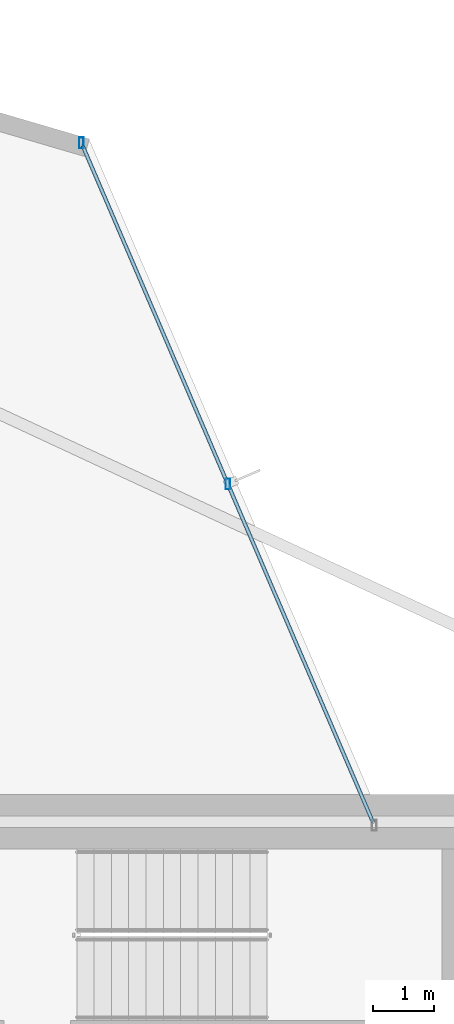
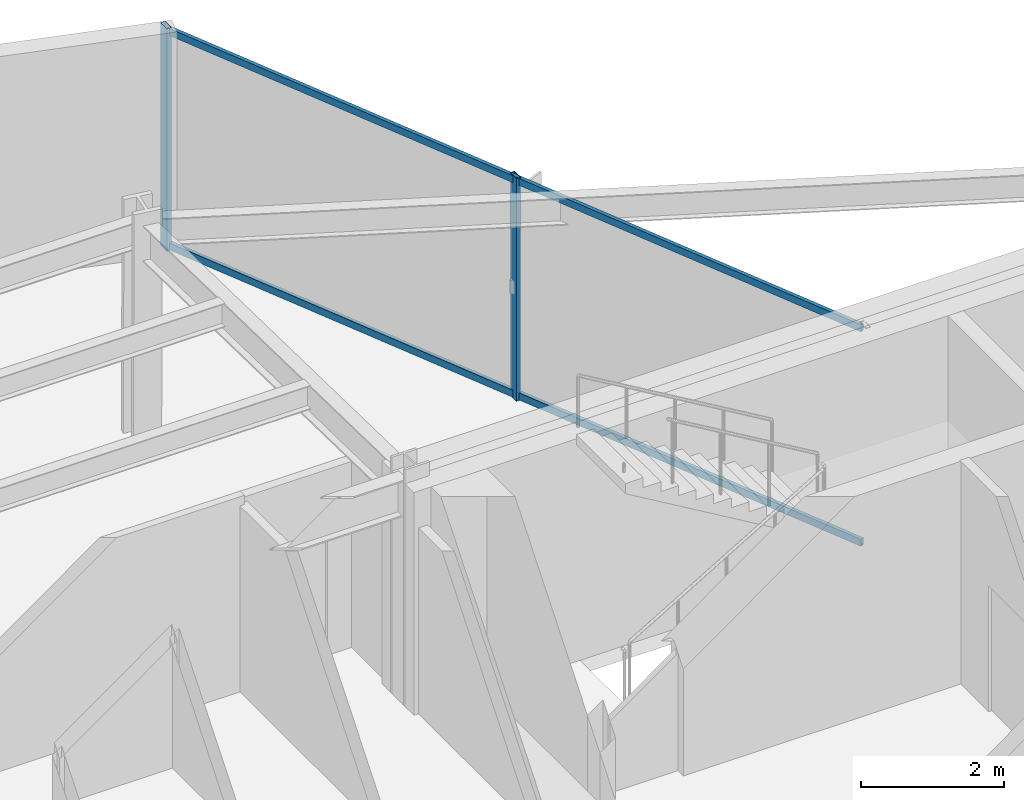
# One storey, part 19 of 27: 4 members, 1 element without a shape of its own.
"""IFC4 building model written with IfcOpenShell, lengths in metres."""

import ifcopenshell
import ifcopenshell.guid

model = None  # the IFC model being written
_history = None  # IfcOwnerHistory: only IFC2X3 demands one
_inside = {}  # id of a spatial element -> (the spatial element, [elements in it])
_under = {}  # id of a project, library or spatial element -> (it, [spatial elements below it])
_declared = {}  # id of a project -> (the project, [libraries it declares])
_typed = {}  # id of a type object -> (the type object, [elements of that type])
_made_of = {}  # id of a material, layer set ... -> (it, [elements and type objects made of it])


def new_model(schema):
    """Start an empty IFC model of exactly this schema.

    Asked for "IFC4X3", IfcOpenShell would pick the latest addendum, in which some entities
    have other attributes; the version numbers below select the first issue.
    IFC2X3 requires an IfcOwnerHistory on every rooted entity: one is made here for all.
    """
    global model, _history
    if schema == "IFC4X3":
        model = ifcopenshell.file(schema_version=(4, 3, 0, 0))
    else:
        model = ifcopenshell.file(schema=schema)
    _inside.clear()
    _under.clear()
    _declared.clear()
    _typed.clear()
    _made_of.clear()
    _history = None
    if model.schema == "IFC2X3":
        org = make("IfcOrganization", Name="unknown")
        user = make(
            "IfcPersonAndOrganization",
            ThePerson=make("IfcPerson", FamilyName="unknown"),
            TheOrganization=org,
        )
        app = make(
            "IfcApplication",
            ApplicationDeveloper=org,
            Version="unknown",
            ApplicationFullName="unknown",
            ApplicationIdentifier="unknown",
        )
        _history = make(
            "IfcOwnerHistory",
            OwningUser=user,
            OwningApplication=app,
            ChangeAction="ADDED",
            CreationDate=0,
        )
    return model


def make(cls, **values):
    """One entity of the class cls with the attributes given. An attribute that is None is left unset."""
    return model.create_entity(
        cls, **{name: value for name, value in values.items() if value is not None}
    )


def rooted(cls, **values):
    """An entity with a GlobalId (a new one), such as an element, a storey or a relation."""
    return make(cls, GlobalId=ifcopenshell.guid.new(), OwnerHistory=_history, **values)


def si_unit(unit_type, name, prefix=None):
    """IfcSIUnit, for example si_unit("LENGTHUNIT", "METRE", prefix="MILLI")."""
    return make("IfcSIUnit", UnitType=unit_type, Prefix=prefix, Name=name)


def assignment(units):
    """IfcUnitAssignment: the units of a project."""
    return None if units is None else make("IfcUnitAssignment", Units=units)


def point(xyz):
    """IfcCartesianPoint."""
    return None if xyz is None else make("IfcCartesianPoint", Coordinates=xyz)


def direction(xyz):
    """IfcDirection."""
    return None if xyz is None else make("IfcDirection", DirectionRatios=xyz)


def frame(location, z_axis=None, x_axis=None):
    """IfcAxis2Placement3D, a coordinate frame: its origin and axes. An axis left out is left unset."""
    return make(
        "IfcAxis2Placement3D",
        Location=point(location),
        Axis=direction(z_axis),
        RefDirection=direction(x_axis),
    )


def frame_2d(location, x_axis=None):
    """IfcAxis2Placement2D, a coordinate frame in the plane: its origin and x axis."""
    return make(
        "IfcAxis2Placement2D", Location=point(location), RefDirection=direction(x_axis)
    )


def origin():
    """The frame at (0, 0, 0) with its axes left unset."""
    return frame((0.0, 0.0, 0.0))


def origin_2d():
    """The frame at (0, 0) in the plane with its x axis left unset."""
    return frame_2d((0.0, 0.0))


def place(relative_to, where):
    """IfcLocalPlacement: puts the frame where relative to a parent placement (None: the world)."""
    return make(
        "IfcLocalPlacement", PlacementRelTo=relative_to, RelativePlacement=where
    )


def context(
    kind, dimensions, precision=None, world=None, true_north=None, identifier=None
):
    """IfcGeometricRepresentationContext, for example the 3D "Model" context."""
    return make(
        "IfcGeometricRepresentationContext",
        ContextIdentifier=identifier,
        ContextType=kind,
        CoordinateSpaceDimension=dimensions,
        Precision=precision,
        WorldCoordinateSystem=world,
        TrueNorth=true_north,
    )


def subcontext(parent, identifier, kind, view, scale=None):
    """IfcGeometricRepresentationSubContext, for example "Body" below "Model"."""
    return make(
        "IfcGeometricRepresentationSubContext",
        ContextIdentifier=identifier,
        ContextType=kind,
        ParentContext=parent,
        TargetScale=scale,
        TargetView=view,
    )


def project(units=None, contexts=None):
    """IfcProject with its units and contexts."""
    return rooted(
        "IfcProject",
        Name="project",
        RepresentationContexts=contexts,
        UnitsInContext=assignment(units),
    )


def spatial(cls, under=None, at=None, **own):
    """A site, building, storey or space (cls), placed at a placement, below another one or the project."""
    s = rooted(cls, ObjectPlacement=at, **own)
    if under is not None:
        _under.setdefault(under.id(), (under, []))[1].append(s)
    return s


def profile(cls, at=None, kind="AREA", **sizes):
    """A parametric profile (cls). Its sizes go by their IFC names, for example OverallWidth=200.0."""
    return make(cls, ProfileType=kind, Position=at, **sizes)


def hollow_rectangle(**sizes):
    """IfcRectangleHollowProfileDef."""
    return profile("IfcRectangleHollowProfileDef", **sizes)


def extrude(swept, where, along, depth):
    """IfcExtrudedAreaSolid: the profile swept, set in the frame where, extruded along a direction by depth."""
    return make(
        "IfcExtrudedAreaSolid",
        SweptArea=swept,
        Position=where,
        ExtrudedDirection=direction(along),
        Depth=depth,
    )


def shape(context_of_items, identifier, shape_type, items):
    """IfcShapeRepresentation: the items that make up one representation, for example the "Body"."""
    return make(
        "IfcShapeRepresentation",
        ContextOfItems=context_of_items,
        RepresentationIdentifier=identifier,
        RepresentationType=shape_type,
        Items=items,
    )


def material(Name=None, Category=None):
    """IfcMaterial."""
    return make("IfcMaterial", Name=Name, Category=Category)


def layer(
    of_material, thickness, ventilated=None, Name=None, Category=None, Priority=None
):
    """IfcMaterialLayer: one layer of a wall or slab, of a material (None: an air gap)."""
    return make(
        "IfcMaterialLayer",
        Material=of_material,
        LayerThickness=thickness,
        IsVentilated=ventilated,
        Name=Name,
        Category=Category,
        Priority=Priority,
    )


def layer_set(layers, Name=None):
    """IfcMaterialLayerSet."""
    return make("IfcMaterialLayerSet", MaterialLayers=layers, LayerSetName=Name)


def material_profile(
    of_material, cross_section, Name=None, Category=None, Priority=None
):
    """IfcMaterialProfile: a cross section and its material."""
    return make(
        "IfcMaterialProfile",
        Name=Name,
        Material=of_material,
        Profile=cross_section,
        Priority=Priority,
        Category=Category,
    )


def profile_set(profiles, Name=None, composite=None):
    """IfcMaterialProfileSet."""
    return make(
        "IfcMaterialProfileSet",
        Name=Name,
        MaterialProfiles=profiles,
        CompositeProfile=composite,
    )


def made_of(thing, what):
    """Note that an element or type object is made of a material, layer set ...; save() writes the relation."""
    if what is not None:
        _made_of.setdefault(what.id(), (what, []))[1].append(thing)
    return thing


def type_object(cls, material=None, **own):
    """A type object (cls), such as IfcWallType, which elements share."""
    return made_of(rooted(cls, **own), material)


def element(
    cls,
    number,
    at=None,
    inside=None,
    cuts=None,
    type_object=None,
    material=None,
    context=None,
    identifier="Body",
    shape_type=None,
    held_by="IfcProductDefinitionShape",
    body=None,
    shapes=None,
    **own,
):
    """One element of the class cls, such as IfcWall. Its Tag is "e" and its number.

    at: its placement. inside: the storey or other place that contains it. cuts: it is an
    opening in that element (IfcRelVoidsElement). A single representation is given by context,
    identifier, shape_type and body (its items); several are given by shapes. held_by: the class
    of the entity that holds the representations. save() writes the other relations.
    """
    e = rooted(cls, Tag="e%d" % number, ObjectPlacement=at, **own)
    if body is not None:
        shapes = [shape(context, identifier, shape_type, body)]
    if shapes is not None:
        e.Representation = make(held_by, Representations=shapes)
    if inside is not None:
        _inside.setdefault(inside.id(), (inside, []))[1].append(e)
    if cuts is not None:
        rooted(
            "IfcRelVoidsElement", RelatingBuildingElement=cuts, RelatedOpeningElement=e
        )
    if type_object is not None:
        _typed.setdefault(type_object.id(), (type_object, []))[1].append(e)
    return made_of(e, material)


def aggregate(whole, parts):
    """IfcRelAggregates: a whole, such as a stair, and the parts it consists of."""
    return rooted("IfcRelAggregates", RelatingObject=whole, RelatedObjects=parts)


def save(model, path):
    """Write the relations noted so far, then the file.

    IfcRelAggregates (storeys below a building ...), IfcRelContainedInSpatialStructure (elements
    in a storey), IfcRelDefinesByType, IfcRelAssociatesMaterial and IfcRelDeclares: one each for
    every whole, place, type object, material and project.
    """
    for whole, parts in _under.values():
        aggregate(whole, parts)
    for where, things in _inside.values():
        rooted(
            "IfcRelContainedInSpatialStructure",
            RelatedElements=things,
            RelatingStructure=where,
        )
    for kind, things in _typed.values():
        rooted("IfcRelDefinesByType", RelatedObjects=things, RelatingType=kind)
    for what, things in _made_of.values():
        rooted("IfcRelAssociatesMaterial", RelatedObjects=things, RelatingMaterial=what)
    for by, libraries in _declared.values():
        rooted("IfcRelDeclares", RelatingContext=by, RelatedDefinitions=libraries)
    model.write(path)


model = new_model("IFC4")

# Units and contexts
model_context = context("Model", 3, precision=1e-05, world=origin(), true_north=direction((0.0, 1.0)))
body_context = subcontext(model_context, "Body", "Model", "MODEL_VIEW")
ifc_project = project(units=[si_unit("LENGTHUNIT", "METRE"), si_unit("AREAUNIT", "SQUARE_METRE"), si_unit("VOLUMEUNIT", "CUBIC_METRE"), si_unit("PLANEANGLEUNIT", "RADIAN"), si_unit("MASSUNIT", "GRAM", prefix="KILO")], contexts=[model_context])

# Site, building, storey
site_placement = place(None, origin())
site = spatial("IfcSite", under=ifc_project, at=site_placement, CompositionType="ELEMENT")
building_placement = place(site_placement, origin())
building = spatial("IfcBuilding", under=site, at=building_placement, Name="Veymaron Broadcast Tower", CompositionType="ELEMENT")
storey_placement = place(building_placement, frame((0.0, 0.0, 86.39990234375)))
storey = spatial("IfcBuildingStorey", under=building, at=storey_placement, Name="L19", CompositionType="ELEMENT", Elevation=86.39990234375)

# Curtain wall, members
ifc_material_1 = material(Name="Anodised aluminium AA 6063-T6 and laminated low-E dark glass", Category="aluminium")
ifc_layer = layer(ifc_material_1, 0.179931640625)
ifc_layer_set = layer_set([ifc_layer], Name="Anodised aluminium AA 6063-T6 and laminated low-E dark glass")
curtain_wall_type = type_object("IfcCurtainWallType", Name="CW-SYS-02", PredefinedType="NOTDEFINED", material=ifc_layer_set)
curtain_wall_placement = place(storey_placement, origin())
curtain_wall = element("IfcCurtainWall", 1, at=curtain_wall_placement, inside=storey, type_object=curtain_wall_type, Name="L19 dark-glass curtain wall CW-L19-E6-1", PredefinedType="NOTDEFINED")
ifc_material_2 = material(Name="Anodised aluminium AA 6063-T6", Category="aluminium")
ifc_material_profile_1 = material_profile(ifc_material_2, hollow_rectangle(XDim=0.074951171875, YDim=0.179931640625, WallThickness=0.0048828125, at=origin_2d()), Name="AL180X75X5")
ifc_profile_set_1 = profile_set([ifc_material_profile_1], Name="Anodised aluminium AA 6063-T6")
member_type_1 = type_object("IfcMemberType", Name="CW-MUL-02", PredefinedType="MULLION", material=ifc_profile_set_1)
member_1_placement = place(storey_placement, frame((43.916748046875, 37.562744140625, 0.0), z_axis=(0.0, 0.0, 1.0), x_axis=(1.0, 0.0, 0.0)))
member_1 = element("IfcMember", 2, at=member_1_placement, type_object=member_type_1, Name="CW-L19-E6-1 mullion 1", PredefinedType="MULLION", context=body_context, shape_type="SweptSolid", body=[
    extrude(hollow_rectangle(XDim=0.074951171875, YDim=0.179931640625, WallThickness=0.0048828125, at=origin_2d()), origin(), (0.0, 0.0, 1.0), 3.81005859375),
])
member_2_placement = place(storey_placement, frame((41.505615234375, 43.180908203125, 0.0), z_axis=(0.0, 0.0, 1.0), x_axis=(1.0, 0.0, 0.0)))
member_2 = element("IfcMember", 3, at=member_2_placement, type_object=member_type_1, Name="CW-L19-E6-1 mullion 2", PredefinedType="MULLION", context=body_context, shape_type="SweptSolid", body=[
    extrude(hollow_rectangle(XDim=0.074951171875, YDim=0.179931640625, WallThickness=0.0048828125, at=origin_2d()), origin(), (0.0, 0.0, 1.0), 3.81005859375),
])
ifc_material_profile_2 = material_profile(ifc_material_2, hollow_rectangle(XDim=0.06005859375, YDim=0.1201171875, WallThickness=0.00390625, at=origin_2d()), Name="AL120X60X4")
ifc_profile_set_2 = profile_set([ifc_material_profile_2], Name="Anodised aluminium AA 6063-T6")
member_type_2 = type_object("IfcMemberType", Name="CW-TRN-02", PredefinedType="USERDEFINED", material=ifc_profile_set_2)
member_3_placement = place(storey_placement, frame((46.30810546875, 31.99072265625, 0.070068359375), z_axis=(-0.394395458898, 0.918940815287, 0.0), x_axis=(-0.918940815287, -0.394395458898, 0.0)))
member_3 = element("IfcMember", 4, at=member_3_placement, type_object=member_type_2, Name="CW-L19-E6-1 transom B", ObjectType="TRANSOM", PredefinedType="USERDEFINED", context=body_context, shape_type="SweptSolid", body=[
    extrude(hollow_rectangle(XDim=0.06005859375, YDim=0.1201171875, WallThickness=0.00390625, at=origin_2d()), origin(), (0.0, 0.0, 1.0), 12.127197265625),
])
member_4_placement = place(storey_placement, frame((46.30810546875, 31.99072265625, 3.739990234375), z_axis=(-0.394395458898, 0.918940815287, 0.0), x_axis=(-0.918940815287, -0.394395458898, 0.0)))
member_4 = element("IfcMember", 5, at=member_4_placement, type_object=member_type_2, Name="CW-L19-E6-1 transom T", ObjectType="TRANSOM", PredefinedType="USERDEFINED", context=body_context, shape_type="SweptSolid", body=[
    extrude(hollow_rectangle(XDim=0.06005859375, YDim=0.1201171875, WallThickness=0.00390625, at=origin_2d()), origin(), (0.0, 0.0, 1.0), 12.127197265625),
])
aggregate(curtain_wall, [member_1, member_2, member_3, member_4])

save(model, "model.ifc")
